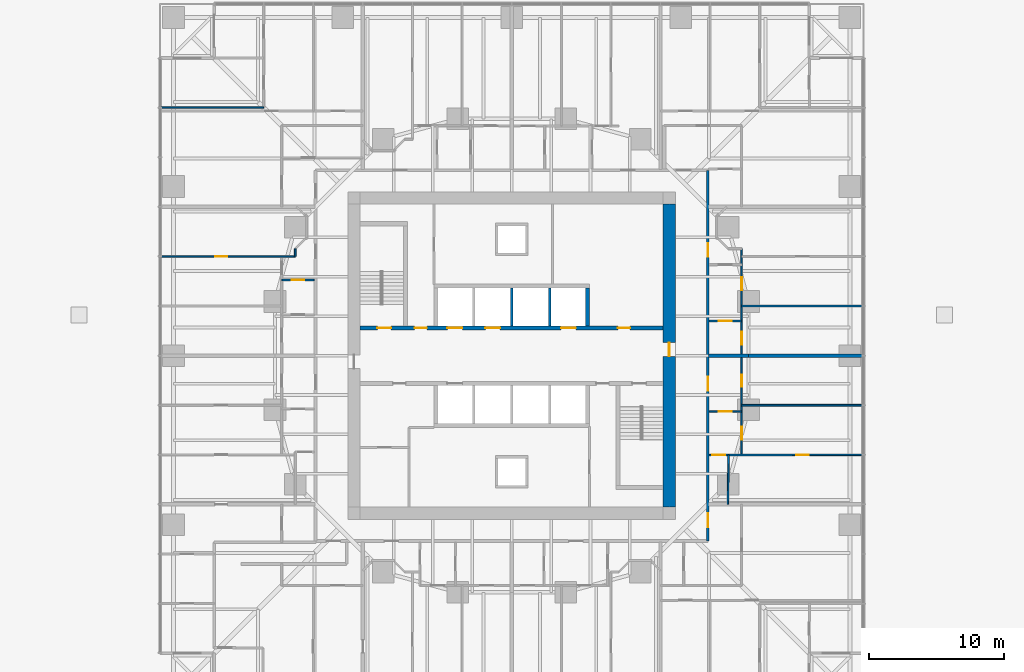
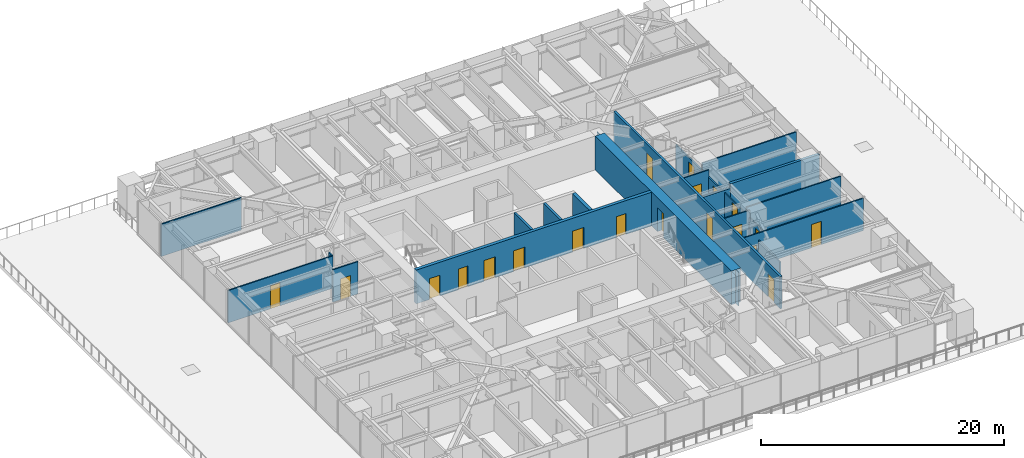
# One storey, part 10 of 15: 20 doors, 19 walls, 20 openings.
"""IFC4 building model written with IfcOpenShell, lengths in metres."""

from ifc_helpers import new_model, si_unit, direction, frame, frame_2d, origin, place, context, subcontext, project, spatial, polyline, rectangle, outline, extrude, material, layer, layer_set, type_object, element, fill, save


model = new_model("IFC4")

# Units and contexts
model_context = context("Model", 3, precision=1e-05, world=origin(), true_north=direction((0.0, 1.0)))
body_context = subcontext(model_context, "Body", "Model", "MODEL_VIEW")
ifc_project = project(units=[si_unit("LENGTHUNIT", "METRE"), si_unit("AREAUNIT", "SQUARE_METRE"), si_unit("VOLUMEUNIT", "CUBIC_METRE"), si_unit("PLANEANGLEUNIT", "RADIAN"), si_unit("MASSUNIT", "GRAM", prefix="KILO")], contexts=[model_context])

# Site, building, storey
site_placement = place(None, origin())
site = spatial("IfcSite", under=ifc_project, at=site_placement, CompositionType="ELEMENT")
building_placement = place(site_placement, origin())
building = spatial("IfcBuilding", under=site, at=building_placement, Name="Torsade Residences", CompositionType="ELEMENT")
storey_placement = place(building_placement, frame((0.0, 0.0, 15.0)))
storey = spatial("IfcBuildingStorey", under=building, at=storey_placement, Name="L03", CompositionType="ELEMENT", Elevation=15.0)

# Wall, openings, doors
ifc_material_1 = material(Name="Concrete 80 MPa", Category="concrete")
ifc_layer_1 = layer(ifc_material_1, 0.300048828125)
ifc_layer_set_1 = layer_set([ifc_layer_1], Name="Concrete 80 MPa")
wall_type_1 = type_object("IfcWallType", Name="CORE INTERNAL WALL 300", PredefinedType="SHEAR", material=ifc_layer_set_1)
wall_1_placement = place(storey_placement, frame((28.800048828125, 32.050048828125, 0.0), z_axis=(0.0, 0.0, 1.0), x_axis=(1.0, 0.0, 0.0)))
wall_1 = element("IfcWall", 1, at=wall_1_placement, inside=storey, type_object=wall_type_1, Name="Core wall LN L03", PredefinedType="SHEAR", context=body_context, shape_type="SweptSolid", body=[
    extrude(rectangle(XDim=22.39990234375, YDim=0.300048828125, at=frame_2d((11.199951171875, 0.0))), origin(), (0.0, 0.0, 1.0), 3.39990234375),
])
opening_1_placement = place(wall_1_placement, frame((19.0400390625, 0.0, 0.0)))
opening_1 = element("IfcOpeningElement", 2, at=opening_1_placement, cuts=wall_1, Name="Opening D06", PredefinedType="OPENING", context=body_context, shape_type="SweptSolid", body=[
    extrude(rectangle(XDim=0.919921875, YDim=2.10009765625, at=frame_2d((0.4599609375, 1.050048828125))), frame((0.0, 0.159912109375, 0.0), z_axis=(0.0, -1.0, 0.0), x_axis=(1.0, 0.0, 0.0)), (0.0, 0.0, 1.0), 0.320068359375),
])
opening_2_placement = place(wall_1_placement, frame((1.264892578125, 0.0, 0.0)))
opening_2 = element("IfcOpeningElement", 3, at=opening_2_placement, cuts=wall_1, Name="Opening D03", PredefinedType="OPENING", context=body_context, shape_type="SweptSolid", body=[
    extrude(rectangle(XDim=1.02001953125, YDim=2.10009765625, at=frame_2d((0.510009765625, 1.050048828125))), frame((0.0, 0.159912109375, 0.0), z_axis=(0.0, -1.0, 0.0), x_axis=(1.0, 0.0, 0.0)), (0.0, 0.0, 1.0), 0.320068359375),
])
opening_3_placement = place(wall_1_placement, frame((4.014892578125, 0.0, 0.0)))
opening_3 = element("IfcOpeningElement", 4, at=opening_3_placement, cuts=wall_1, Name="Opening D06", PredefinedType="OPENING", context=body_context, shape_type="SweptSolid", body=[
    extrude(rectangle(XDim=0.919921875, YDim=2.10009765625, at=frame_2d((0.4599609375, 1.050048828125))), frame((0.0, 0.159912109375, 0.0), z_axis=(0.0, -1.0, 0.0), x_axis=(1.0, 0.0, 0.0)), (0.0, 0.0, 1.0), 0.320068359375),
])
opening_4_placement = place(wall_1_placement, frame((6.449951171875, 0.0, 0.0)))
opening_4 = element("IfcOpeningElement", 5, at=opening_4_placement, cuts=wall_1, Name="Opening LD", PredefinedType="OPENING", context=body_context, shape_type="SweptSolid", body=[
    extrude(rectangle(XDim=1.10009765625, YDim=2.10009765625, at=frame_2d((0.550048828125, 1.050048828125))), frame((0.0, 0.159912109375, 0.0), z_axis=(0.0, -1.0, 0.0), x_axis=(1.0, 0.0, 0.0)), (0.0, 0.0, 1.0), 0.320068359375),
])
opening_5_placement = place(wall_1_placement, frame((9.25, 0.0, 0.0)))
opening_5 = element("IfcOpeningElement", 6, at=opening_5_placement, cuts=wall_1, Name="Opening LD", PredefinedType="OPENING", context=body_context, shape_type="SweptSolid", body=[
    extrude(rectangle(XDim=1.10009765625, YDim=2.10009765625, at=frame_2d((0.550048828125, 1.050048828125))), frame((0.0, 0.159912109375, 0.0), z_axis=(0.0, -1.0, 0.0), x_axis=(1.0, 0.0, 0.0)), (0.0, 0.0, 1.0), 0.320068359375),
])
opening_6_placement = place(wall_1_placement, frame((14.85009765625, 0.0, 0.0)))
opening_6 = element("IfcOpeningElement", 7, at=opening_6_placement, cuts=wall_1, Name="Opening LD", PredefinedType="OPENING", context=body_context, shape_type="SweptSolid", body=[
    extrude(rectangle(XDim=1.10009765625, YDim=2.10009765625, at=frame_2d((0.550048828125, 1.050048828125))), frame((0.0, 0.159912109375, 0.0), z_axis=(0.0, -1.0, 0.0), x_axis=(1.0, 0.0, 0.0)), (0.0, 0.0, 1.0), 0.320068359375),
])
ifc_material_2 = material(Name="Steel-framed fire door", Category="steel")
door_type_1 = type_object("IfcDoorType", Name="FIRE DOOR 1020", OperationType="NOTDEFINED", PredefinedType="DOOR", material=ifc_material_2)
door_1_placement = place(opening_2_placement, origin())
door_1 = element("IfcDoor", 8, at=door_1_placement, inside=storey, type_object=door_type_1, Name="Exit door to fire-isolated stair ST1 L03", OperationType="SINGLE_SWING_RIGHT", OverallHeight=2.10009765625, OverallWidth=1.02001953125, PredefinedType="DOOR", context=body_context, shape_type="SweptSolid", body=[
    extrude(rectangle(XDim=1.02001953125, YDim=2.10009765625, at=frame_2d((0.510009765625, 1.050048828125))), frame((0.0, 0.02490234375, 0.0), z_axis=(0.0, -1.0, 0.0), x_axis=(1.0, 0.0, 0.0)), (0.0, 0.0, 1.0), 0.050048828125),
])
fill(opening_2, door_1)
ifc_material_3 = material(Name="Steel-framed fire door", Category="steel")
door_type_2 = type_object("IfcDoorType", Name="FIRE DOOR 920", OperationType="NOTDEFINED", PredefinedType="DOOR", material=ifc_material_3)
door_2_placement = place(opening_1_placement, origin())
door_2 = element("IfcDoor", 9, at=door_2_placement, inside=storey, type_object=door_type_2, Name="Door Lift lobby to Refuse room", OperationType="SINGLE_SWING_LEFT", OverallHeight=2.10009765625, OverallWidth=0.919921875, PredefinedType="DOOR", context=body_context, shape_type="SweptSolid", body=[
    extrude(rectangle(XDim=0.919921875, YDim=2.10009765625, at=frame_2d((0.4599609375, 1.050048828125))), frame((0.0, 0.02490234375, 0.0), z_axis=(0.0, -1.0, 0.0), x_axis=(1.0, 0.0, 0.0)), (0.0, 0.0, 1.0), 0.050048828125),
])
fill(opening_1, door_2)
door_3_placement = place(opening_3_placement, origin())
door_3 = element("IfcDoor", 10, at=door_3_placement, inside=storey, type_object=door_type_2, Name="Door Lift lobby to Main switchboard store", OperationType="SINGLE_SWING_LEFT", OverallHeight=2.10009765625, OverallWidth=0.919921875, PredefinedType="DOOR", context=body_context, shape_type="SweptSolid", body=[
    extrude(rectangle(XDim=0.919921875, YDim=2.10009765625, at=frame_2d((0.4599609375, 1.050048828125))), frame((0.0, 0.02490234375, 0.0), z_axis=(0.0, -1.0, 0.0), x_axis=(1.0, 0.0, 0.0)), (0.0, 0.0, 1.0), 0.050048828125),
])
fill(opening_3, door_3)
ifc_material_4 = material(Name="Stainless steel lift landing door", Category="steel")
door_type_3 = type_object("IfcDoorType", Name="LIFT LANDING DOOR 1100", OperationType="SLIDING_TO_LEFT", PredefinedType="DOOR", material=ifc_material_4)
door_4_placement = place(opening_4_placement, origin())
door_4 = element("IfcDoor", 11, at=door_4_placement, inside=storey, type_object=door_type_3, Name="Lift LA1 landing door L03", OperationType="SLIDING_TO_LEFT", OverallHeight=2.10009765625, OverallWidth=1.10009765625, PredefinedType="DOOR", context=body_context, shape_type="SweptSolid", body=[
    extrude(rectangle(XDim=1.10009765625, YDim=2.10009765625, at=frame_2d((0.550048828125, 1.050048828125))), frame((0.0, 0.02490234375, 0.0), z_axis=(0.0, -1.0, 0.0), x_axis=(1.0, 0.0, 0.0)), (0.0, 0.0, 1.0), 0.050048828125),
])
fill(opening_4, door_4)
door_5_placement = place(opening_5_placement, origin())
door_5 = element("IfcDoor", 12, at=door_5_placement, inside=storey, type_object=door_type_3, Name="Lift LA2 landing door L03", OperationType="SLIDING_TO_LEFT", OverallHeight=2.10009765625, OverallWidth=1.10009765625, PredefinedType="DOOR", context=body_context, shape_type="SweptSolid", body=[
    extrude(rectangle(XDim=1.10009765625, YDim=2.10009765625, at=frame_2d((0.550048828125, 1.050048828125))), frame((0.0, 0.02490234375, 0.0), z_axis=(0.0, -1.0, 0.0), x_axis=(1.0, 0.0, 0.0)), (0.0, 0.0, 1.0), 0.050048828125),
])
fill(opening_5, door_5)
door_6_placement = place(opening_6_placement, origin())
door_6 = element("IfcDoor", 13, at=door_6_placement, inside=storey, type_object=door_type_3, Name="Lift FL1 landing door L03", OperationType="SLIDING_TO_LEFT", OverallHeight=2.10009765625, OverallWidth=1.10009765625, PredefinedType="DOOR", context=body_context, shape_type="SweptSolid", body=[
    extrude(rectangle(XDim=1.10009765625, YDim=2.10009765625, at=frame_2d((0.550048828125, 1.050048828125))), frame((0.0, 0.02490234375, 0.0), z_axis=(0.0, -1.0, 0.0), x_axis=(1.0, 0.0, 0.0)), (0.0, 0.0, 1.0), 0.050048828125),
])
fill(opening_6, door_6)

# Wall
wall_2_placement = place(storey_placement, frame((45.60009765625, 32.199951171875, 0.0), z_axis=(0.0, 0.0, 1.0), x_axis=(0.0, 1.0, 0.0)))
element("IfcWall", 14, at=wall_2_placement, inside=storey, type_object=wall_type_1, Name="Core wall DN4 L03", PredefinedType="SHEAR", context=body_context, shape_type="SweptSolid", body=[
    extrude(rectangle(XDim=2.800048828125, YDim=0.300048828125, at=frame_2d((1.39990234375, 0.0))), origin(), (0.0, 0.0, 1.0), 3.39990234375),
])

# Wall, opening, door
ifc_material_5 = material(Name="Concrete 80 MPa", Category="concrete")
ifc_layer_2 = layer(ifc_material_5, 0.89990234375)
ifc_layer_set_2 = layer_set([ifc_layer_2], Name="Concrete 80 MPa")
wall_type_2 = type_object("IfcWallType", Name="CORE WALL 900", PredefinedType="SHEAR", material=ifc_layer_set_2)
wall_3_placement = place(storey_placement, frame((51.64990234375, 18.800048828125, 0.0), z_axis=(0.0, 0.0, 1.0), x_axis=(0.0, 1.0, 0.0)))
wall_3 = element("IfcWall", 15, at=wall_3_placement, inside=storey, type_object=wall_type_2, Name="Core wall E L03", PredefinedType="SHEAR", context=body_context, shape_type="SweptSolid", body=[
    extrude(outline(polyline([(0.0, -0.449951171875), (22.39990234375, -0.449951171875), (22.39990234375, -0.02490234375), (22.849853515625, -0.02490234375), (22.849853515625, 0.02490234375), (22.39990234375, 0.02490234375), (22.39990234375, 0.449951171875), (0.0, 0.449951171875), (0.0, 0.02490234375), (-0.449951171875, 0.02490234375), (-0.449951171875, -0.02490234375), (0.0, -0.02490234375), (0.0, -0.449951171875)])), origin(), (0.0, 0.0, 1.0), 3.39990234375),
])
opening_7_placement = place(wall_3_placement, frame((11.139892578125, 0.0, 0.0)))
opening_7 = element("IfcOpeningElement", 16, at=opening_7_placement, cuts=wall_3, Name="Opening D04", PredefinedType="OPENING", context=body_context, shape_type="SweptSolid", body=[
    extrude(rectangle(XDim=1.02001953125, YDim=2.39990234375, at=frame_2d((0.510009765625, 1.199951171875))), frame((0.0, 0.4599609375, 0.0), z_axis=(0.0, -1.0, 0.0), x_axis=(1.0, 0.0, 0.0)), (0.0, 0.0, 1.0), 0.919921875),
])
ifc_material_6 = material(Name="Steel-framed fire door", Category="steel")
door_type_4 = type_object("IfcDoorType", Name="LOBBY SMOKE DOOR 1020x2400", OperationType="NOTDEFINED", PredefinedType="DOOR", material=ifc_material_6)
door_7_placement = place(opening_7_placement, origin())
door_7 = element("IfcDoor", 17, at=door_7_placement, inside=storey, type_object=door_type_4, Name="Lift lobby door E L03", OperationType="SINGLE_SWING_LEFT", OverallHeight=2.39990234375, OverallWidth=1.02001953125, PredefinedType="DOOR", context=body_context, shape_type="SweptSolid", body=[
    extrude(rectangle(XDim=1.02001953125, YDim=2.39990234375, at=frame_2d((0.510009765625, 1.199951171875))), frame((0.0, 0.02490234375, 0.0), z_axis=(0.0, -1.0, 0.0), x_axis=(1.0, 0.0, 0.0)), (0.0, 0.0, 1.0), 0.050048828125),
])
fill(opening_7, door_7)

# Wall, openings, doors
ifc_material_7 = material(Name="Plasterboard on steel stud", Category="steel")
ifc_layer_3 = layer(ifc_material_7, 0.199951171875)
ifc_layer_set_3 = layer_set([ifc_layer_3], Name="Plasterboard on steel stud")
wall_type_3 = type_object("IfcWallType", Name="CORRIDOR WALL 200", PredefinedType="PARTITIONING", material=ifc_layer_set_3)
wall_4_placement = place(storey_placement, frame((54.5, 16.300048828125, 0.0), z_axis=(0.0, 0.0, 1.0), x_axis=(0.0, 1.0, 0.0)))
wall_4 = element("IfcWall", 18, at=wall_4_placement, inside=storey, type_object=wall_type_3, Name="Corridor wall L03", PredefinedType="PARTITIONING", context=body_context, shape_type="SweptSolid", body=[
    extrude(rectangle(XDim=27.39990234375, YDim=0.199951171875, at=frame_2d((13.699951171875, 0.0))), origin(), (0.0, 0.0, 1.0), 3.25),
])
opening_8_placement = place(wall_4_placement, frame((20.998291015625, 0.0, 0.0)))
opening_8 = element("IfcOpeningElement", 19, at=opening_8_placement, cuts=wall_4, Name="Opening D01", PredefinedType="OPENING", context=body_context, shape_type="SweptSolid", body=[
    extrude(rectangle(XDim=1.02001953125, YDim=2.340087890625, at=frame_2d((0.510009765625, 1.169921875))), frame((0.0, 0.10986328125, 0.0), z_axis=(0.0, -1.0, 0.0), x_axis=(1.0, 0.0, 0.0)), (0.0, 0.0, 1.0), 0.219970703125),
])
opening_9_placement = place(wall_4_placement, frame((11.118896484375, 0.0, 0.0)))
opening_9 = element("IfcOpeningElement", 20, at=opening_9_placement, cuts=wall_4, Name="Opening D01", PredefinedType="OPENING", context=body_context, shape_type="SweptSolid", body=[
    extrude(rectangle(XDim=1.02001953125, YDim=2.340087890625, at=frame_2d((0.510009765625, 1.169921875))), frame((0.0, 0.10986328125, 0.0), z_axis=(0.0, -1.0, 0.0), x_axis=(1.0, 0.0, 0.0)), (0.0, 0.0, 1.0), 0.219970703125),
])
opening_10_placement = place(wall_4_placement, frame((1.014892578125, 0.0, 0.0)))
opening_10 = element("IfcOpeningElement", 21, at=opening_10_placement, cuts=wall_4, Name="Opening D01", PredefinedType="OPENING", context=body_context, shape_type="SweptSolid", body=[
    extrude(rectangle(XDim=1.02001953125, YDim=2.340087890625, at=frame_2d((0.510009765625, 1.169921875))), frame((0.0, 0.10986328125, 0.0), z_axis=(0.0, -1.0, 0.0), x_axis=(1.0, 0.0, 0.0)), (0.0, 0.0, 1.0), 0.219970703125),
])
ifc_material_8 = material(Name="Solid-core timber fire door", Category="wood")
door_type_5 = type_object("IfcDoorType", Name="APARTMENT ENTRY DOOR 1020x2340", OperationType="NOTDEFINED", PredefinedType="DOOR", material=ifc_material_8)
door_8_placement = place(opening_8_placement, origin())
door_8 = element("IfcDoor", 22, at=door_8_placement, inside=storey, type_object=door_type_5, Name="Door Residential corridor to Kitchen and dining", OperationType="SINGLE_SWING_LEFT", OverallHeight=2.340087890625, OverallWidth=1.02001953125, PredefinedType="DOOR", context=body_context, shape_type="SweptSolid", body=[
    extrude(rectangle(XDim=1.02001953125, YDim=2.340087890625, at=frame_2d((0.510009765625, 1.169921875))), frame((0.0, 0.02490234375, 0.0), z_axis=(0.0, -1.0, 0.0), x_axis=(1.0, 0.0, 0.0)), (0.0, 0.0, 1.0), 0.050048828125),
])
fill(opening_8, door_8)
door_9_placement = place(opening_9_placement, origin())
door_9 = element("IfcDoor", 23, at=door_9_placement, inside=storey, type_object=door_type_5, Name="Door Residential corridor to Kitchen and dining", OperationType="SINGLE_SWING_LEFT", OverallHeight=2.340087890625, OverallWidth=1.02001953125, PredefinedType="DOOR", context=body_context, shape_type="SweptSolid", body=[
    extrude(rectangle(XDim=1.02001953125, YDim=2.340087890625, at=frame_2d((0.510009765625, 1.169921875))), frame((0.0, 0.02490234375, 0.0), z_axis=(0.0, -1.0, 0.0), x_axis=(1.0, 0.0, 0.0)), (0.0, 0.0, 1.0), 0.050048828125),
])
fill(opening_9, door_9)
door_10_placement = place(opening_10_placement, origin())
door_10 = element("IfcDoor", 24, at=door_10_placement, inside=storey, type_object=door_type_5, Name="Door Residential corridor to Kitchen and dining", OperationType="SINGLE_SWING_LEFT", OverallHeight=2.340087890625, OverallWidth=1.02001953125, PredefinedType="DOOR", context=body_context, shape_type="SweptSolid", body=[
    extrude(rectangle(XDim=1.02001953125, YDim=2.340087890625, at=frame_2d((0.510009765625, 1.169921875))), frame((0.0, 0.02490234375, 0.0), z_axis=(0.0, -1.0, 0.0), x_axis=(1.0, 0.0, 0.0)), (0.0, 0.0, 1.0), 0.050048828125),
])
fill(opening_10, door_10)

# Walls
ifc_material_9 = material(Name="Reinforced blockwork", Category="masonry")
ifc_layer_4 = layer(ifc_material_9, 0.199951171875)
ifc_layer_set_4 = layer_set([ifc_layer_4], Name="Reinforced blockwork")
wall_type_4 = type_object("IfcWallType", Name="LIFT SHAFT DIVIDING WALL 200", PredefinedType="SOLIDWALL", material=ifc_layer_set_4)
for number, where, z_axis, x_axis, name in (
    (25, (40.0, 32.199951171875, 0.0), (0.0, 0.0, 1.0), (0.0, 1.0, 0.0), "Core wall DN2 L03"),
    (26, (42.800048828125, 32.199951171875, 0.0), (0.0, 0.0, 1.0), (0.0, 1.0, 0.0), "Core wall DN3 L03"),
):
    element("IfcWall", number, at=place(storey_placement, frame(where, z_axis=z_axis, x_axis=x_axis)), inside=storey, type_object=wall_type_4, Name=name, PredefinedType="SOLIDWALL", context=body_context, shape_type="SweptSolid", body=[
        extrude(rectangle(XDim=2.800048828125, YDim=0.199951171875, at=frame_2d((1.39990234375, 0.0))), origin(), (0.0, 0.0, 1.0), 3.39990234375),
    ])

# Wall, opening, door
ifc_material_10 = material(Name="Plasterboard on steel stud", Category="steel")
ifc_layer_5 = layer(ifc_material_10, 0.1201171875)
ifc_layer_set_5 = layer_set([ifc_layer_5], Name="Plasterboard on steel stud")
wall_type_5 = type_object("IfcWallType", Name="PARTITION 120", PredefinedType="PARTITIONING", material=ifc_layer_set_5)
wall_5_placement = place(storey_placement, frame((57.0, 25.85791015625, 0.0), z_axis=(0.0, 0.0, 1.0), x_axis=(-1.0, 0.0, 0.0)))
wall_5 = element("IfcWall", 27, at=wall_5_placement, inside=storey, type_object=wall_type_5, Name="Partition L03", PredefinedType="PARTITIONING", context=body_context, shape_type="SweptSolid", body=[
    extrude(rectangle(XDim=2.39990234375, YDim=0.1201171875, at=frame_2d((1.199951171875, 0.0))), origin(), (0.0, 0.0, 1.0), 3.25),
])
opening_11_placement = place(wall_5_placement, frame((0.719970703125, 0.0, 0.0)))
opening_11 = element("IfcOpeningElement", 28, at=opening_11_placement, cuts=wall_5, Name="Opening D05", PredefinedType="OPENING", context=body_context, shape_type="SweptSolid", body=[
    extrude(rectangle(XDim=0.9599609375, YDim=2.10009765625, at=frame_2d((0.47998046875, 1.050048828125))), frame((0.0, 0.070068359375, 0.0), z_axis=(0.0, -1.0, 0.0), x_axis=(1.0, 0.0, 0.0)), (0.0, 0.0, 1.0), 0.14013671875),
])
ifc_material_11 = material(Name="Hollow-core timber door in a steel cavity frame", Category="steel")
door_type_6 = type_object("IfcDoorType", Name="BATHROOM CAVITY SLIDING DOOR 960", OperationType="SLIDING_TO_LEFT", PredefinedType="DOOR", material=ifc_material_11)
door_11_placement = place(opening_11_placement, origin())
door_11 = element("IfcDoor", 29, at=door_11_placement, inside=storey, type_object=door_type_6, Name="Door Kitchen and dining to Ensuite", OperationType="SLIDING_TO_LEFT", OverallHeight=2.10009765625, OverallWidth=0.9599609375, PredefinedType="DOOR", context=body_context, shape_type="SweptSolid", body=[
    extrude(rectangle(XDim=0.9599609375, YDim=2.10009765625, at=frame_2d((0.47998046875, 1.050048828125))), frame((0.0, 0.02490234375, 0.0), z_axis=(0.0, -1.0, 0.0), x_axis=(1.0, 0.0, 0.0)), (0.0, 0.0, 1.0), 0.050048828125),
])
fill(opening_11, door_11)

# Wall, openings, doors
wall_6_placement = place(storey_placement, frame((57.0, 37.89990234375, 0.0), z_axis=(0.0, 0.0, 1.0), x_axis=(0.0, -1.0, 0.0)))
wall_6 = element("IfcWall", 30, at=wall_6_placement, inside=storey, type_object=wall_type_5, Name="Partition L03", PredefinedType="PARTITIONING", context=body_context, shape_type="SweptSolid", body=[
    extrude(rectangle(XDim=15.251220703125, YDim=0.1201171875, at=frame_2d((7.62548828125, 0.0))), origin(), (0.0, 0.0, 1.0), 2.549072265625),
])
opening_12_placement = place(wall_6_placement, frame((9.29833984375, 0.0, 0.0)))
opening_12 = element("IfcOpeningElement", 31, at=opening_12_placement, cuts=wall_6, Name="Opening D02", PredefinedType="OPENING", context=body_context, shape_type="SweptSolid", body=[
    extrude(rectangle(XDim=0.919921875, YDim=2.340087890625, at=frame_2d((0.4599609375, 1.169921875))), frame((0.0, 0.070068359375, 0.0), z_axis=(0.0, -1.0, 0.0), x_axis=(1.0, 0.0, 0.0)), (0.0, 0.0, 1.0), 0.14013671875),
])
opening_13_placement = place(wall_6_placement, frame((2.103515625, 0.0, 0.0)))
opening_13 = element("IfcOpeningElement", 32, at=opening_13_placement, cuts=wall_6, Name="Opening D05", PredefinedType="OPENING", context=body_context, shape_type="SweptSolid", body=[
    extrude(rectangle(XDim=0.9599609375, YDim=2.10009765625, at=frame_2d((0.47998046875, 1.050048828125))), frame((0.0, 0.070068359375, 0.0), z_axis=(0.0, -1.0, 0.0), x_axis=(1.0, 0.0, 0.0)), (0.0, 0.0, 1.0), 0.14013671875),
])
opening_14_placement = place(wall_6_placement, frame((13.166748046875, 0.0, 0.0)))
opening_14 = element("IfcOpeningElement", 33, at=opening_14_placement, cuts=wall_6, Name="Opening D05", PredefinedType="OPENING", context=body_context, shape_type="SweptSolid", body=[
    extrude(rectangle(XDim=0.9599609375, YDim=2.10009765625, at=frame_2d((0.47998046875, 1.050048828125))), frame((0.0, 0.070068359375, 0.0), z_axis=(0.0, -1.0, 0.0), x_axis=(1.0, 0.0, 0.0)), (0.0, 0.0, 1.0), 0.14013671875),
])
opening_15_placement = place(wall_6_placement, frame((6.142333984375, 0.0, 0.0)))
opening_15 = element("IfcOpeningElement", 34, at=opening_15_placement, cuts=wall_6, Name="Opening D05", PredefinedType="OPENING", context=body_context, shape_type="SweptSolid", body=[
    extrude(rectangle(XDim=0.9599609375, YDim=2.10009765625, at=frame_2d((0.47998046875, 1.050048828125))), frame((0.0, 0.070068359375, 0.0), z_axis=(0.0, -1.0, 0.0), x_axis=(1.0, 0.0, 0.0)), (0.0, 0.0, 1.0), 0.14013671875),
])
door_12_placement = place(opening_13_placement, origin())
door_12 = element("IfcDoor", 35, at=door_12_placement, inside=storey, type_object=door_type_6, Name="Door Bathroom to Bedroom 2", OperationType="SLIDING_TO_LEFT", OverallHeight=2.10009765625, OverallWidth=0.9599609375, PredefinedType="DOOR", context=body_context, shape_type="SweptSolid", body=[
    extrude(rectangle(XDim=0.9599609375, YDim=2.10009765625, at=frame_2d((0.47998046875, 1.050048828125))), frame((0.0, 0.02490234375, 0.0), z_axis=(0.0, -1.0, 0.0), x_axis=(1.0, 0.0, 0.0)), (0.0, 0.0, 1.0), 0.050048828125),
])
fill(opening_13, door_12)
door_13_placement = place(opening_14_placement, origin())
door_13 = element("IfcDoor", 36, at=door_13_placement, inside=storey, type_object=door_type_6, Name="Door Ensuite to Bedroom 2", OperationType="SLIDING_TO_LEFT", OverallHeight=2.10009765625, OverallWidth=0.9599609375, PredefinedType="DOOR", context=body_context, shape_type="SweptSolid", body=[
    extrude(rectangle(XDim=0.9599609375, YDim=2.10009765625, at=frame_2d((0.47998046875, 1.050048828125))), frame((0.0, 0.02490234375, 0.0), z_axis=(0.0, -1.0, 0.0), x_axis=(1.0, 0.0, 0.0)), (0.0, 0.0, 1.0), 0.050048828125),
])
fill(opening_14, door_13)
door_14_placement = place(opening_15_placement, origin())
door_14 = element("IfcDoor", 37, at=door_14_placement, inside=storey, type_object=door_type_6, Name="Door Ensuite to Living room", OperationType="SLIDING_TO_LEFT", OverallHeight=2.10009765625, OverallWidth=0.9599609375, PredefinedType="DOOR", context=body_context, shape_type="SweptSolid", body=[
    extrude(rectangle(XDim=0.9599609375, YDim=2.10009765625, at=frame_2d((0.47998046875, 1.050048828125))), frame((0.0, 0.02490234375, 0.0), z_axis=(0.0, -1.0, 0.0), x_axis=(1.0, 0.0, 0.0)), (0.0, 0.0, 1.0), 0.050048828125),
])
fill(opening_15, door_14)
ifc_material_12 = material(Name="Hollow-core timber door", Category="wood")
door_type_7 = type_object("IfcDoorType", Name="INTERNAL DOOR 920x2340", OperationType="NOTDEFINED", PredefinedType="DOOR", material=ifc_material_12)
door_15_placement = place(opening_12_placement, origin())
door_15 = element("IfcDoor", 38, at=door_15_placement, inside=storey, type_object=door_type_7, Name="Door Kitchen and dining to Bedroom 1", OperationType="SINGLE_SWING_RIGHT", OverallHeight=2.340087890625, OverallWidth=0.919921875, PredefinedType="DOOR", context=body_context, shape_type="SweptSolid", body=[
    extrude(rectangle(XDim=0.919921875, YDim=2.340087890625, at=frame_2d((0.4599609375, 1.169921875))), frame((0.0, 0.02490234375, 0.0), z_axis=(0.0, -1.0, 0.0), x_axis=(1.0, 0.0, 0.0)), (0.0, 0.0, 1.0), 0.050048828125),
])
fill(opening_12, door_15)

wall_7_placement = place(storey_placement, frame((54.60009765625, 22.648681640625, 0.0), z_axis=(0.0, 0.0, 1.0), x_axis=(0.999998735361, 0.001590369792, 0.0)))
wall_7 = element("IfcWall", 39, at=wall_7_placement, inside=storey, type_object=wall_type_5, Name="Partition L03", PredefinedType="PARTITIONING", context=body_context, shape_type="SweptSolid", body=[
    extrude(rectangle(XDim=11.35986328125, YDim=0.1201171875, at=frame_2d((5.679931640625, 0.0))), origin(), (0.0, 0.0, 1.0), 3.25),
])
opening_16_placement = place(wall_7_placement, frame((0.234619140625, 0.0, 0.0)))
opening_16 = element("IfcOpeningElement", 40, at=opening_16_placement, cuts=wall_7, Name="Opening D05", PredefinedType="OPENING", context=body_context, shape_type="SweptSolid", body=[
    extrude(rectangle(XDim=0.9599609375, YDim=2.10009765625, at=frame_2d((0.47998046875, 1.050048828125))), frame((0.0, 0.070068359375, 0.0), z_axis=(0.0, -1.0, 0.0), x_axis=(1.0, 0.0, 0.0)), (0.0, 0.0, 1.0), 0.14013671875),
])
opening_17_placement = place(wall_7_placement, frame((6.43994140625, 0.0, 0.0)))
opening_17 = element("IfcOpeningElement", 41, at=opening_17_placement, cuts=wall_7, Name="Opening D02", PredefinedType="OPENING", context=body_context, shape_type="SweptSolid", body=[
    extrude(rectangle(XDim=0.919921875, YDim=2.340087890625, at=frame_2d((0.4599609375, 1.169921875))), frame((0.0, 0.070068359375, 0.0), z_axis=(0.0, -1.0, 0.0), x_axis=(1.0, 0.0, 0.0)), (0.0, 0.0, 1.0), 0.14013671875),
])
door_16_placement = place(opening_16_placement, origin())
door_16 = element("IfcDoor", 42, at=door_16_placement, inside=storey, type_object=door_type_6, Name="Door Ensuite to Bathroom", OperationType="SLIDING_TO_LEFT", OverallHeight=2.10009765625, OverallWidth=0.9599609375, PredefinedType="DOOR", context=body_context, shape_type="SweptSolid", body=[
    extrude(rectangle(XDim=0.9599609375, YDim=2.10009765625, at=frame_2d((0.47998046875, 1.050048828125))), frame((0.0, 0.02490234375, 0.0), z_axis=(0.0, -1.0, 0.0), x_axis=(1.0, 0.0, 0.0)), (0.0, 0.0, 1.0), 0.050048828125),
])
fill(opening_16, door_16)
door_17_placement = place(opening_17_placement, origin())
door_17 = element("IfcDoor", 43, at=door_17_placement, inside=storey, type_object=door_type_7, Name="Door Bedroom 2 to Living room", OperationType="SINGLE_SWING_RIGHT", OverallHeight=2.340087890625, OverallWidth=0.919921875, PredefinedType="DOOR", context=body_context, shape_type="SweptSolid", body=[
    extrude(rectangle(XDim=0.919921875, YDim=2.340087890625, at=frame_2d((0.4599609375, 1.169921875))), frame((0.0, 0.02490234375, 0.0), z_axis=(0.0, -1.0, 0.0), x_axis=(1.0, 0.0, 0.0)), (0.0, 0.0, 1.0), 0.050048828125),
])
fill(opening_17, door_17)

# Walls
wall_8_placement = place(storey_placement, frame((56.029296875, 22.648681640625, 0.0), z_axis=(0.0, 0.0, 1.0), x_axis=(-0.013648778697, -0.999906851082, 0.0)))
element("IfcWall", 44, at=wall_8_placement, inside=storey, type_object=wall_type_5, Name="Partition L03", PredefinedType="PARTITIONING", context=body_context, shape_type="SweptSolid", body=[
    extrude(rectangle(XDim=3.64892578125, YDim=0.1201171875, at=frame_2d((1.824462890625, 0.0))), origin(), (0.0, 0.0, 1.0), 2.549072265625),
])
wall_9_placement = place(storey_placement, frame((65.9599609375, 26.333251953125, 0.0), z_axis=(0.0, 0.0, 1.0), x_axis=(-1.0, 0.0, 0.0)))
element("IfcWall", 45, at=wall_9_placement, inside=storey, type_object=wall_type_5, Name="Partition L03", PredefinedType="PARTITIONING", context=body_context, shape_type="SweptSolid", body=[
    extrude(rectangle(XDim=8.9599609375, YDim=0.1201171875, at=frame_2d((4.47998046875, 0.0))), origin(), (0.0, 0.0, 1.0), 3.25),
])

# Wall, opening, door
wall_10_placement = place(storey_placement, frame((57.0, 32.555419921875, 0.0), z_axis=(0.0, 0.0, 1.0), x_axis=(-1.0, 0.0, 0.0)))
wall_10 = element("IfcWall", 46, at=wall_10_placement, inside=storey, type_object=wall_type_5, Name="Partition L03", PredefinedType="PARTITIONING", context=body_context, shape_type="SweptSolid", body=[
    extrude(rectangle(XDim=2.39990234375, YDim=0.1201171875, at=frame_2d((1.199951171875, 0.0))), origin(), (0.0, 0.0, 1.0), 3.25),
])
opening_18_placement = place(wall_10_placement, frame((0.719970703125, 0.0, 0.0)))
opening_18 = element("IfcOpeningElement", 47, at=opening_18_placement, cuts=wall_10, Name="Opening D05", PredefinedType="OPENING", context=body_context, shape_type="SweptSolid", body=[
    extrude(rectangle(XDim=0.9599609375, YDim=2.10009765625, at=frame_2d((0.47998046875, 1.050048828125))), frame((0.0, 0.070068359375, 0.0), z_axis=(0.0, -1.0, 0.0), x_axis=(1.0, 0.0, 0.0)), (0.0, 0.0, 1.0), 0.14013671875),
])
door_18_placement = place(opening_18_placement, origin())
door_18 = element("IfcDoor", 48, at=door_18_placement, inside=storey, type_object=door_type_6, Name="Door Bathroom to Ensuite", OperationType="SLIDING_TO_LEFT", OverallHeight=2.10009765625, OverallWidth=0.9599609375, PredefinedType="DOOR", context=body_context, shape_type="SweptSolid", body=[
    extrude(rectangle(XDim=0.9599609375, YDim=2.10009765625, at=frame_2d((0.47998046875, 1.050048828125))), frame((0.0, 0.02490234375, 0.0), z_axis=(0.0, -1.0, 0.0), x_axis=(1.0, 0.0, 0.0)), (0.0, 0.0, 1.0), 0.050048828125),
])
fill(opening_18, door_18)

# Walls
wall_11_placement = place(storey_placement, frame((57.0, 33.666748046875, 0.0), z_axis=(0.0, 0.0, 1.0), x_axis=(1.0, 0.0, 0.0)))
element("IfcWall", 49, at=wall_11_placement, inside=storey, type_object=wall_type_5, Name="Partition L03", PredefinedType="PARTITIONING", context=body_context, shape_type="SweptSolid", body=[
    extrude(rectangle(XDim=8.9599609375, YDim=0.1201171875, at=frame_2d((4.47998046875, 0.0))), origin(), (0.0, 0.0, 1.0), 3.25),
])
wall_12_placement = place(storey_placement, frame((14.0400390625, 48.333251953125, 0.0), z_axis=(0.0, 0.0, 1.0), x_axis=(1.0, 0.0, 0.0)))
element("IfcWall", 50, at=wall_12_placement, inside=storey, type_object=wall_type_5, Name="Partition L03", PredefinedType="PARTITIONING", context=body_context, shape_type="SweptSolid", body=[
    extrude(rectangle(XDim=7.626708984375, YDim=0.1201171875, at=frame_2d((3.8134765625, 0.0))), origin(), (0.0, 0.0, 1.0), 3.25),
])

# Wall, opening, door
wall_13_placement = place(storey_placement, frame((25.39990234375, 35.594482421875, 0.0), z_axis=(0.0, 0.0, 1.0), x_axis=(-1.0, 0.0, 0.0)))
wall_13 = element("IfcWall", 51, at=wall_13_placement, inside=storey, type_object=wall_type_5, Name="Partition L03", PredefinedType="PARTITIONING", context=body_context, shape_type="SweptSolid", body=[
    extrude(rectangle(XDim=2.39990234375, YDim=0.1201171875, at=frame_2d((1.199951171875, 0.0))), origin(), (0.0, 0.0, 1.0), 3.25),
])
opening_19_placement = place(wall_13_placement, frame((0.719970703125, 0.0, 0.0)))
opening_19 = element("IfcOpeningElement", 52, at=opening_19_placement, cuts=wall_13, Name="Opening D05", PredefinedType="OPENING", context=body_context, shape_type="SweptSolid", body=[
    extrude(rectangle(XDim=0.9599609375, YDim=2.10009765625, at=frame_2d((0.47998046875, 1.050048828125))), frame((0.0, 0.070068359375, 0.0), z_axis=(0.0, -1.0, 0.0), x_axis=(1.0, 0.0, 0.0)), (0.0, 0.0, 1.0), 0.14013671875),
])
door_19_placement = place(opening_19_placement, origin())
door_19 = element("IfcDoor", 53, at=door_19_placement, inside=storey, type_object=door_type_6, Name="Door Kitchen and dining to Ensuite", OperationType="SLIDING_TO_LEFT", OverallHeight=2.10009765625, OverallWidth=0.9599609375, PredefinedType="DOOR", context=body_context, shape_type="SweptSolid", body=[
    extrude(rectangle(XDim=0.9599609375, YDim=2.10009765625, at=frame_2d((0.47998046875, 1.050048828125))), frame((0.0, 0.02490234375, 0.0), z_axis=(0.0, -1.0, 0.0), x_axis=(1.0, 0.0, 0.0)), (0.0, 0.0, 1.0), 0.050048828125),
])
fill(opening_19, door_19)

wall_14_placement = place(storey_placement, frame((14.0400390625, 37.333251953125, 0.0), z_axis=(0.0, 0.0, 1.0), x_axis=(1.0, 0.0, 0.0)))
wall_14 = element("IfcWall", 54, at=wall_14_placement, inside=storey, type_object=wall_type_5, Name="Partition L03", PredefinedType="PARTITIONING", context=body_context, shape_type="SweptSolid", body=[
    extrude(rectangle(XDim=9.9599609375, YDim=0.1201171875, at=frame_2d((4.97998046875, 0.0))), origin(), (0.0, 0.0, 1.0), 3.25),
])
opening_20_placement = place(wall_14_placement, frame((4.02490234375, 0.0, 0.0)))
opening_20 = element("IfcOpeningElement", 55, at=opening_20_placement, cuts=wall_14, Name="Opening D02", PredefinedType="OPENING", context=body_context, shape_type="SweptSolid", body=[
    extrude(rectangle(XDim=0.919921875, YDim=2.340087890625, at=frame_2d((0.4599609375, 1.169921875))), frame((0.0, 0.070068359375, 0.0), z_axis=(0.0, -1.0, 0.0), x_axis=(1.0, 0.0, 0.0)), (0.0, 0.0, 1.0), 0.14013671875),
])
door_20_placement = place(opening_20_placement, origin())
door_20 = element("IfcDoor", 56, at=door_20_placement, inside=storey, type_object=door_type_7, Name="Door Bedroom 2 to Living room", OperationType="SINGLE_SWING_RIGHT", OverallHeight=2.340087890625, OverallWidth=0.919921875, PredefinedType="DOOR", context=body_context, shape_type="SweptSolid", body=[
    extrude(rectangle(XDim=0.919921875, YDim=2.340087890625, at=frame_2d((0.4599609375, 1.169921875))), frame((0.0, 0.02490234375, 0.0), z_axis=(0.0, -1.0, 0.0), x_axis=(1.0, 0.0, 0.0)), (0.0, 0.0, 1.0), 0.050048828125),
])
fill(opening_20, door_20)

# Walls
wall_15_placement = place(storey_placement, frame((24.0, 37.333251953125, 0.0), z_axis=(0.0, 0.0, 1.0), x_axis=(0.0, 1.0, 0.0)))
element("IfcWall", 57, at=wall_15_placement, inside=storey, type_object=wall_type_5, Name="Partition L03", PredefinedType="PARTITIONING", context=body_context, shape_type="SweptSolid", body=[
    extrude(rectangle(XDim=0.566650390625, YDim=0.1201171875, at=frame_2d((0.283203125, 0.0))), origin(), (0.0, 0.0, 1.0), 3.25),
])
ifc_material_13 = material(Name="Masonry-lined stud party wall", Category="masonry")
ifc_layer_6 = layer(ifc_material_13, 0.25)
ifc_layer_set_6 = layer_set([ifc_layer_6], Name="Masonry-lined stud party wall")
wall_type_6 = type_object("IfcWallType", Name="PARTY WALL 250", PredefinedType="PARTITIONING", material=ifc_layer_set_6)
wall_16_placement = place(storey_placement, frame((66.0, 30.0, 0.0), z_axis=(0.0, 0.0, 1.0), x_axis=(-1.0, 0.0, 0.0)))
element("IfcWall", 58, at=wall_16_placement, inside=storey, type_object=wall_type_6, Name="Party wall L03", PredefinedType="PARTITIONING", context=body_context, shape_type="SweptSolid", body=[
    extrude(rectangle(XDim=8.5, YDim=0.25, at=frame_2d((4.25, 0.0))), origin(), (0.0, 0.0, 1.0), 3.25),
])
wall_17_placement = place(storey_placement, frame((57.5, 30.0, 0.0), z_axis=(0.0, 0.0, 1.0), x_axis=(-1.0, 0.0, 0.0)))
element("IfcWall", 59, at=wall_17_placement, inside=storey, type_object=wall_type_6, Name="Party wall L03", PredefinedType="PARTITIONING", context=body_context, shape_type="SweptSolid", body=[
    extrude(rectangle(XDim=2.93994140625, YDim=0.25, at=frame_2d((1.469970703125, 0.0))), origin(), (0.0, 0.0, 1.0), 2.7958984375),
])

save(model, "model.ifc")
